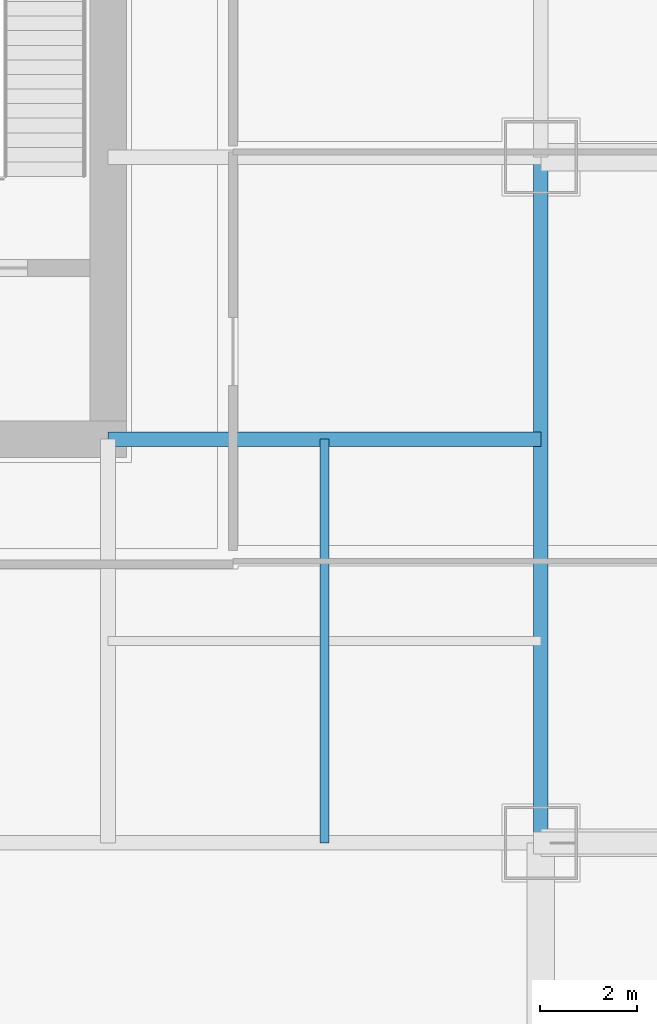
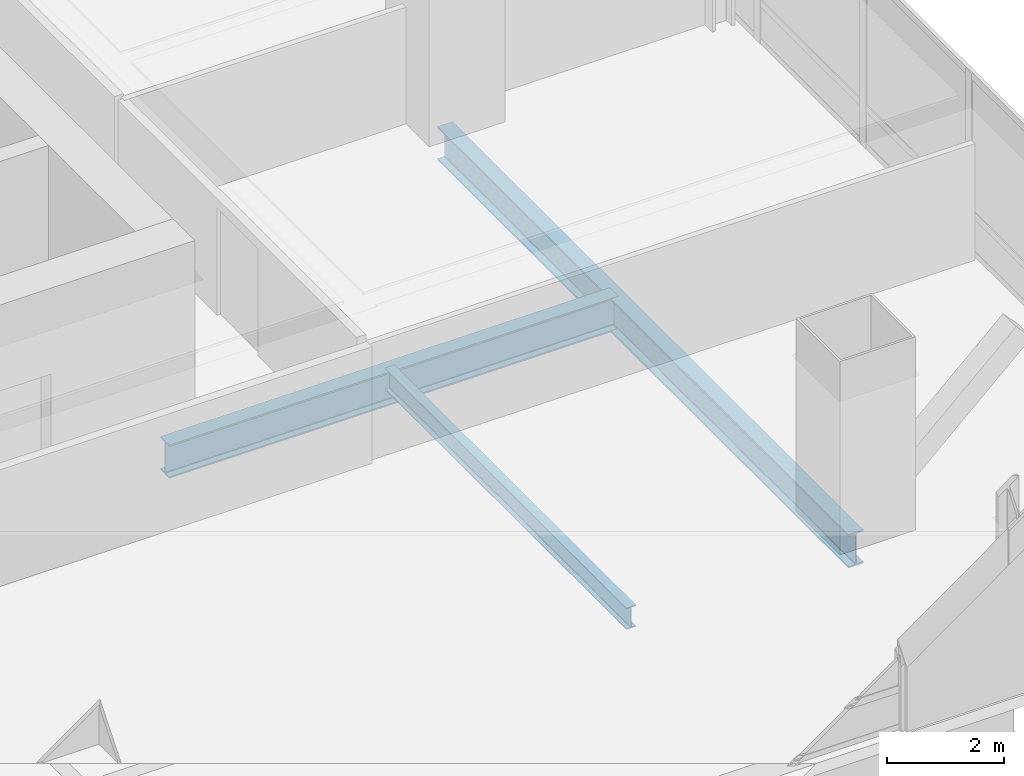
# One storey, part 13 of 42: 3 beams.
"""IFC4 building model written with IfcOpenShell, lengths in metres."""

from ifc_helpers import new_model, si_unit, direction, frame, origin, origin_2d, place, context, subcontext, project, spatial, i_section, extrude, material, material_profile, profile_set, type_object, element, save


model = new_model("IFC4")

# Units and contexts
model_context = context("Model", 3, precision=1e-05, world=origin(), true_north=direction((0.0, 1.0)))
body_context = subcontext(model_context, "Body", "Model", "MODEL_VIEW")
ifc_project = project(units=[si_unit("LENGTHUNIT", "METRE"), si_unit("AREAUNIT", "SQUARE_METRE"), si_unit("VOLUMEUNIT", "CUBIC_METRE"), si_unit("PLANEANGLEUNIT", "RADIAN"), si_unit("MASSUNIT", "GRAM", prefix="KILO")], contexts=[model_context])

# Site, building, storey
site_placement = place(None, origin())
site = spatial("IfcSite", under=ifc_project, at=site_placement, CompositionType="ELEMENT")
building_placement = place(site_placement, origin())
building = spatial("IfcBuilding", under=site, at=building_placement, Name="Punatoya Terracotta Tower", CompositionType="ELEMENT")
storey_placement = place(building_placement, frame((0.0, 0.0, 88.949951171875)))
storey = spatial("IfcBuildingStorey", under=building, at=storey_placement, Name="L20", CompositionType="ELEMENT", Elevation=88.949951171875)

# Beams
ifc_material = material(Name="Steel S355", Category="steel")
ifc_material_profile_1 = material_profile(ifc_material, i_section(OverallWidth=0.300048828125, OverallDepth=0.699951171875, WebThickness=0.01708984375, FlangeThickness=0.031982421875, FilletRadius=0.01806640625, at=origin_2d()))
ifc_profile_set_1 = profile_set([ifc_material_profile_1], Name="Steel S355")
beam_type_1 = type_object("IfcBeamType", Name="BM-PRI-700", PredefinedType="BEAM", material=ifc_profile_set_1)
beam_1_placement = place(storey_placement, frame((19.10009765625, -17.5, -0.58984375), z_axis=(0.0, 1.0, 0.0), x_axis=(-1.0, 0.0, 0.0)))
element("IfcBeam", 1, at=beam_1_placement, inside=storey, type_object=beam_type_1, Name="BM-L20-RG-E1", PredefinedType="BEAM", context=body_context, shape_type="SweptSolid", body=[
    extrude(i_section(OverallWidth=0.300048828125, OverallDepth=0.699951171875, WebThickness=0.01708984375, FlangeThickness=0.031982421875, FilletRadius=0.01806640625, at=origin_2d()), origin(), (0.0, 0.0, 1.0), 14.10009765625),
])
beam_2_placement = place(storey_placement, frame((10.199951171875, -9.199951171875, -0.58984375), z_axis=(1.0, 0.0, 0.0), x_axis=(0.0, 1.0, 0.0)))
element("IfcBeam", 2, at=beam_2_placement, inside=storey, type_object=beam_type_1, Name="BM-L20-PR-ES", PredefinedType="BEAM", context=body_context, shape_type="SweptSolid", body=[
    extrude(i_section(OverallWidth=0.300048828125, OverallDepth=0.699951171875, WebThickness=0.01708984375, FlangeThickness=0.031982421875, FilletRadius=0.01806640625, at=origin_2d()), origin(), (0.0, 0.0, 1.0), 8.900146484375),
])
ifc_material_profile_2 = material_profile(ifc_material, i_section(OverallWidth=0.18994140625, OverallDepth=0.449951171875, WebThickness=0.009521484375, FlangeThickness=0.0146484375, FilletRadius=0.01806640625, at=origin_2d()))
ifc_profile_set_2 = profile_set([ifc_material_profile_2], Name="Steel S355")
beam_type_2 = type_object("IfcBeamType", Name="BM-SEC-450", PredefinedType="JOIST", material=ifc_profile_set_2)
beam_3_placement = place(storey_placement, frame((14.64990234375, -17.5, -0.46484375), z_axis=(0.0, 1.0, 0.0), x_axis=(-1.0, 0.0, 0.0)))
element("IfcBeam", 3, at=beam_3_placement, inside=storey, type_object=beam_type_2, Name="BM-L20-SJE-1", PredefinedType="JOIST", context=body_context, shape_type="SweptSolid", body=[
    extrude(i_section(OverallWidth=0.18994140625, OverallDepth=0.449951171875, WebThickness=0.009521484375, FlangeThickness=0.0146484375, FilletRadius=0.01806640625, at=origin_2d()), origin(), (0.0, 0.0, 1.0), 8.300048828125),
])

save(model, "model.ifc")
